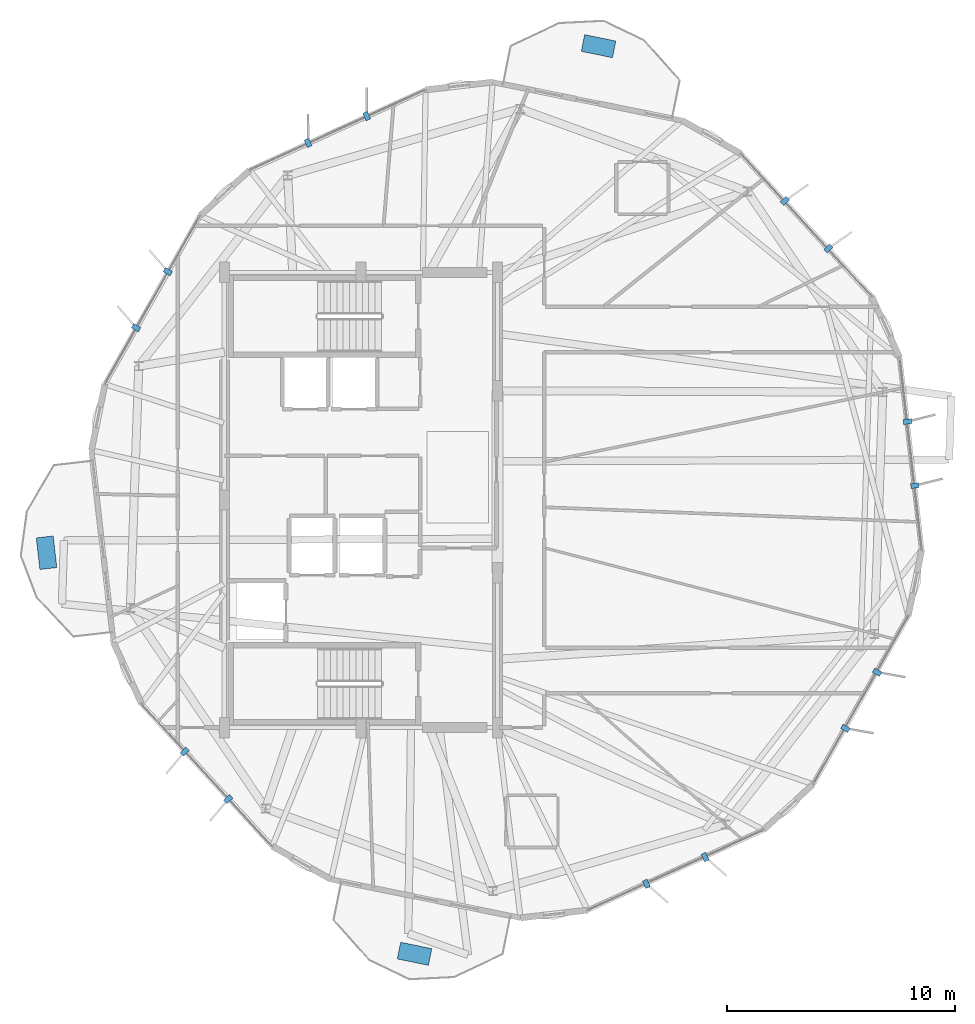
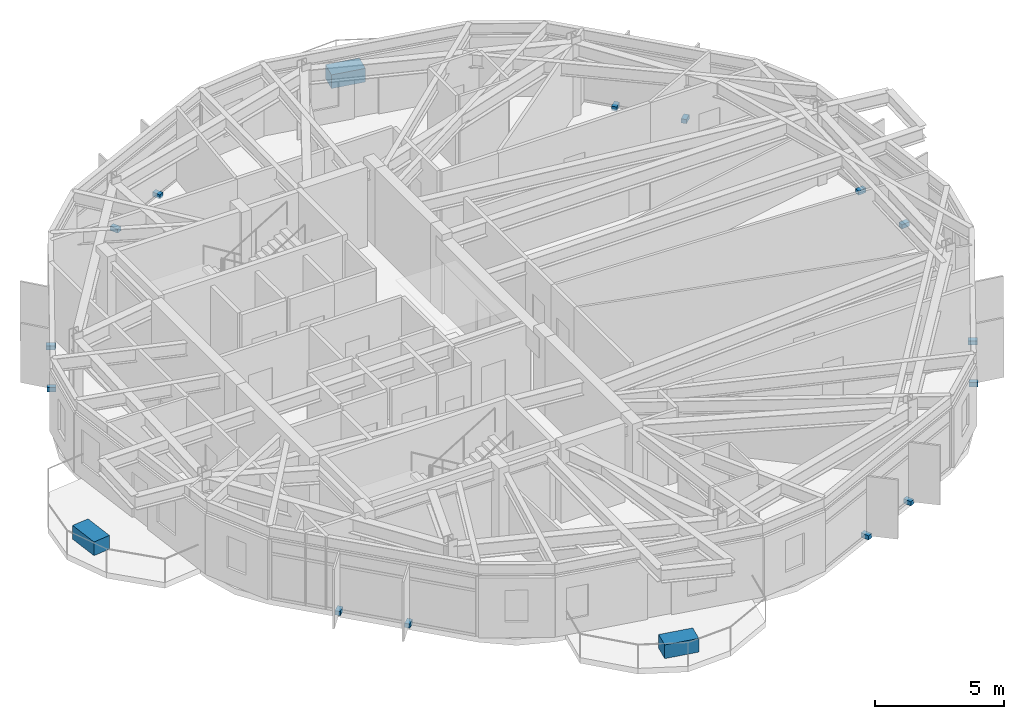
# One storey, part 20 of 23: 17 discrete accessories.
"""IFC4 building model written with IfcOpenShell, lengths in metres."""

from ifc_helpers import new_model, si_unit, direction, frame, origin, origin_2d, place, context, subcontext, project, spatial, rectangle, extrude, material, type_object, element, save


model = new_model("IFC4")

# Units and contexts
model_context = context("Model", 3, precision=1e-05, world=origin(), true_north=direction((0.0, 1.0)))
body_context = subcontext(model_context, "Body", "Model", "MODEL_VIEW")
ifc_project = project(units=[si_unit("LENGTHUNIT", "METRE"), si_unit("AREAUNIT", "SQUARE_METRE"), si_unit("VOLUMEUNIT", "CUBIC_METRE"), si_unit("PLANEANGLEUNIT", "RADIAN"), si_unit("MASSUNIT", "GRAM", prefix="KILO")], contexts=[model_context])

# Site, building, storey
site_placement = place(None, origin())
site = spatial("IfcSite", under=ifc_project, at=site_placement, CompositionType="ELEMENT")
building_placement = place(site_placement, origin())
building = spatial("IfcBuilding", under=site, at=building_placement, Name="Soratama Intermodal Tower", CompositionType="ELEMENT")
storey_placement = place(building_placement, frame((0.0, 0.0, 261.25)))
storey = spatial("IfcBuildingStorey", under=building, at=storey_placement, Name="L66", CompositionType="ELEMENT", Elevation=261.25)

# Discrete accessories
ifc_material_1 = material(Name="Structural steel ASTM A992 Grade 50", Category="steel")
discrete_accessory_type_1 = type_object("IfcDiscreteAccessoryType", Name="AC-FIN-BRACKET", PredefinedType="BRACKET", material=ifc_material_1)
for number, where, z_axis, x_axis, name in (
    (1, (38.8544921875, 41.871337890625, -0.080078125), (0.0, 0.0, 1.0), (-0.415328414356, 0.909671538649, 0.0), "L66 Fin Bracket F02-1"),
    (2, (36.277099609375, 40.694580078125, -0.080078125), (0.0, 0.0, 1.0), (-0.415328414356, 0.909671538649, 0.0), "L66 Fin Bracket F02-2"),
    (3, (30.111328125, 35.036865234375, -0.080078125), (0.0, 0.0, 1.0), (-0.870699260309, 0.49181581725, 0.0), "L66 Fin Bracket F03-1"),
    (4, (28.718017578125, 32.570068359375, -0.080078125), (0.0, 0.0, 1.0), (-0.870699260309, 0.49181581725, 0.0), "L66 Fin Bracket F03-2"),
    (5, (30.853515625, 13.941650390625, -0.080078125), (0.0, 0.0, 1.0), (-0.736805506238, -0.676104759618, 0.0), "L66 Fin Bracket F05-1"),
    (6, (32.76904296875, 11.85400390625, -0.080078125), (0.0, 0.0, 1.0), (-0.736805506238, -0.676104759618, 0.0), "L66 Fin Bracket F05-2"),
    (7, (51.1455078125, 8.128662109375, -0.080078125), (0.0, 0.0, 1.0), (0.415328414356, -0.909671538649, 0.0), "L66 Fin Bracket F07-1"),
    (8, (53.722900390625, 9.305419921875, -0.080078125), (0.0, 0.0, 1.0), (0.415328414356, -0.909671538649, 0.0), "L66 Fin Bracket F07-2"),
    (9, (59.888671875, 14.963134765625, -0.080078125), (0.0, 0.0, 1.0), (0.870699260309, -0.49181581725, 0.0), "L66 Fin Bracket F08-1"),
    (10, (61.281982421875, 17.429931640625, -0.080078125), (0.0, 0.0, 1.0), (0.870699260309, -0.49181581725, 0.0), "L66 Fin Bracket F08-2"),
    (11, (62.94482421875, 25.63134765625, -0.080078125), (0.0, 0.0, 1.0), (0.993492582803, 0.113896830134, 0.0), "L66 Fin Bracket F09-1"),
    (12, (62.6220703125, 28.446044921875, -0.080078125), (0.0, 0.0, 1.0), (0.993492582803, 0.113896830134, 0.0), "L66 Fin Bracket F09-2"),
    (13, (59.146484375, 36.058349609375, -0.080078125), (0.0, 0.0, 1.0), (0.736805506238, 0.676104759618, 0.0), "L66 Fin Bracket F10-1"),
    (14, (57.23095703125, 38.14599609375, -0.080078125), (0.0, 0.0, 1.0), (0.736805506238, 0.676104759618, 0.0), "L66 Fin Bracket F10-2"),
):
    element("IfcDiscreteAccessory", number, at=place(storey_placement, frame(where, z_axis=z_axis, x_axis=x_axis)), inside=storey, type_object=discrete_accessory_type_1, Name=name, PredefinedType="BRACKET", context=body_context, shape_type="SweptSolid", body=[
        extrude(rectangle(XDim=0.360107421875, YDim=0.219970703125, at=origin_2d()), origin(), (0.0, 0.0, 1.0), 0.199951171875),
    ])
ifc_material_2 = material(Name="Precast concrete f'c 40 MPa", Category="concrete")
discrete_accessory_type_2 = type_object("IfcDiscreteAccessoryType", Name="AC-PLANTER-TREE", PredefinedType="USERDEFINED", material=ifc_material_2)
for number, where, z_axis, x_axis, name in (
    (15, (49.043212890625, 44.944091796875, 0.0), (0.0, 0.0, 1.0), (0.198683769387, 0.980063650883, 0.0), "L66 Tree Planter 1"),
    (16, (24.782470703125, 22.68212890625, 0.0), (0.0, 0.0, 1.0), (-0.993492582803, -0.113896830134, 0.0), "L66 Tree Planter 2"),
    (17, (40.956787109375, 5.055908203125, 0.0), (0.0, 0.0, 1.0), (-0.198683769387, -0.980063650883, 0.0), "L66 Tree Planter 3"),
):
    element("IfcDiscreteAccessory", number, at=place(storey_placement, frame(where, z_axis=z_axis, x_axis=x_axis)), inside=storey, type_object=discrete_accessory_type_2, Name=name, ObjectType="PLANTER", PredefinedType="USERDEFINED", context=body_context, shape_type="SweptSolid", body=[
        extrude(rectangle(XDim=0.75, YDim=1.39990234375, at=origin_2d()), origin(), (0.0, 0.0, 1.0), 0.64990234375),
    ])

save(model, "model.ifc")
